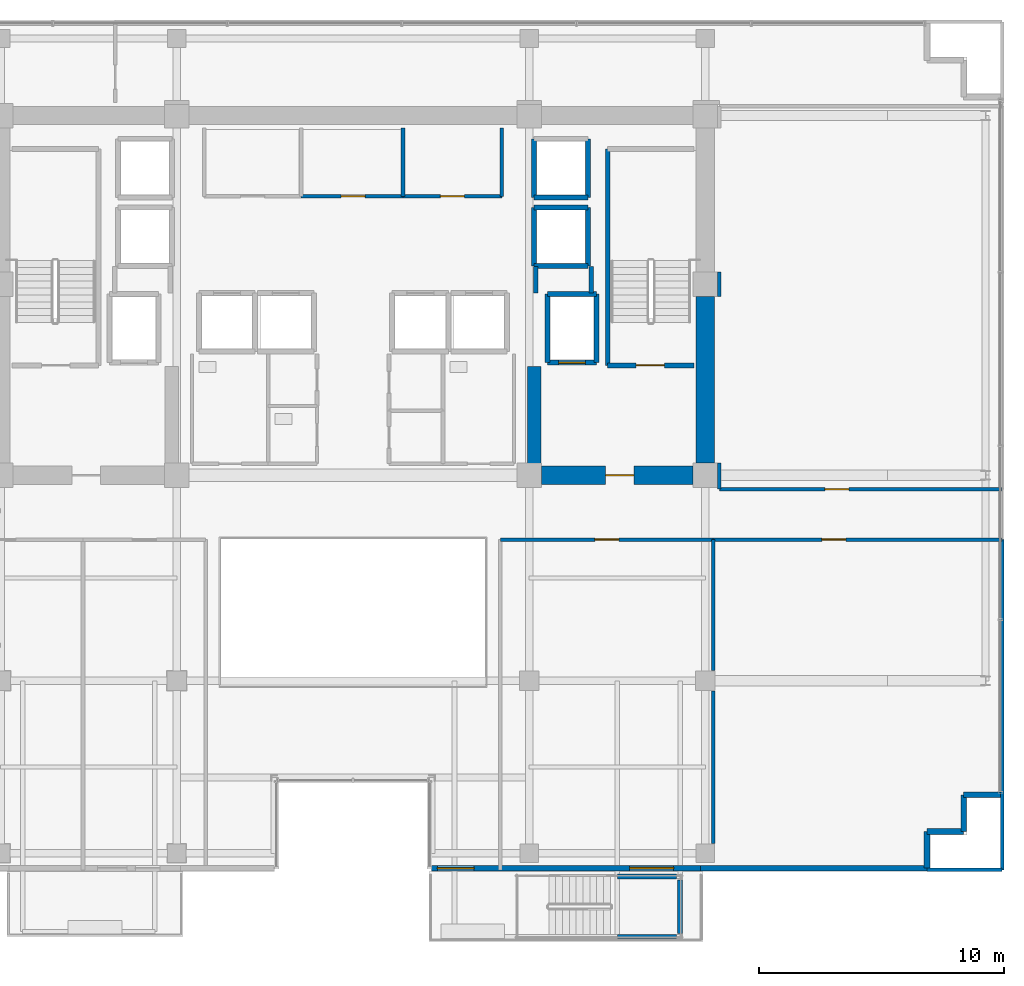
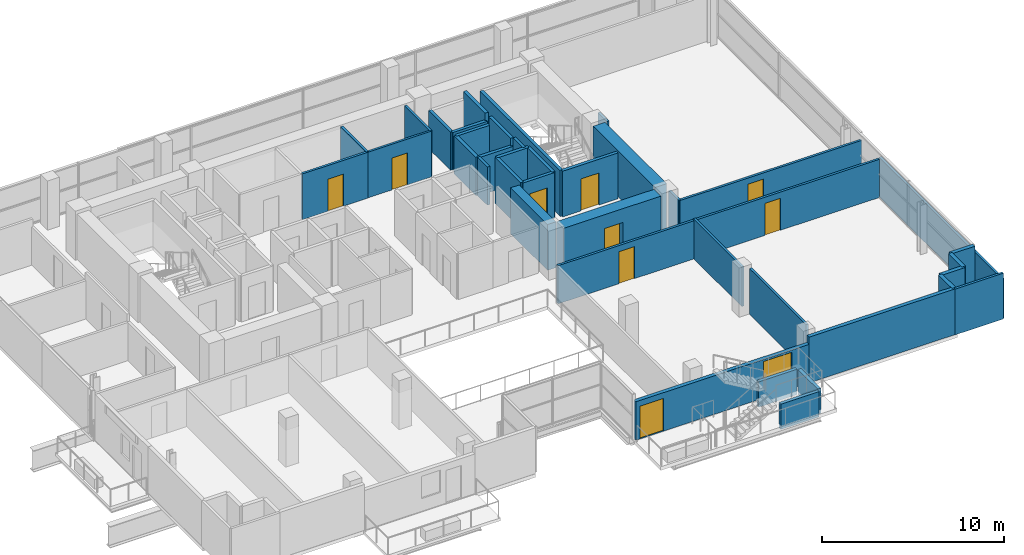
# One storey, part 18 of 23: 40 walls, 9 doors, 1 window, 10 openings.
"""IFC4 building model written with IfcOpenShell, lengths in metres."""

from ifc_helpers import new_model, si_unit, direction, frame, frame_2d, origin, place, context, subcontext, project, spatial, rectangle, extrude, source, transform, mapped, material, layer, layer_set, type_object, element, fill, save


model = new_model("IFC4")

# Units and contexts
model_context = context("Model", 3, precision=1e-05, world=origin(), true_north=direction((0.0, 1.0)))
body_context = subcontext(model_context, "Body", "Model", "MODEL_VIEW")
ifc_project = project(units=[si_unit("LENGTHUNIT", "METRE"), si_unit("AREAUNIT", "SQUARE_METRE"), si_unit("VOLUMEUNIT", "CUBIC_METRE"), si_unit("PLANEANGLEUNIT", "RADIAN"), si_unit("MASSUNIT", "GRAM", prefix="KILO")], contexts=[model_context])

# Site, building, storey
site_placement = place(None, origin())
site = spatial("IfcSite", under=ifc_project, at=site_placement, CompositionType="ELEMENT")
building_placement = place(site_placement, origin())
building = spatial("IfcBuilding", under=site, at=building_placement, Name="Zarnakvel Exchange Tower", CompositionType="ELEMENT")
storey_placement = place(building_placement, frame((0.0, 0.0, 172.60009765625)))
storey = spatial("IfcBuildingStorey", under=building, at=storey_placement, Name="L48", CompositionType="ELEMENT", Elevation=172.60009765625)

# Wall
ifc_material_1 = material(Name="Concrete C60/75", Category="concrete")
ifc_layer_1 = layer(ifc_material_1, 0.75)
ifc_layer_set_1 = layer_set([ifc_layer_1], Name="Concrete C60/75")
wall_type_1 = type_object("IfcWallType", Name="CW-C3", PredefinedType="SHEAR", material=ifc_layer_set_1)
wall_1_placement = place(storey_placement, frame((14.39990234375, -0.699951171875, 0.0), z_axis=(0.0, 0.0, 1.0), x_axis=(0.0, 1.0, 0.0)))
element("IfcWall", 1, at=wall_1_placement, inside=storey, type_object=wall_type_1, Name="L48 Rear Core Shear Wall E1 (CW-C3)", PredefinedType="SHEAR", context=body_context, shape_type="SweptSolid", body=[
    extrude(rectangle(XDim=6.800048828125, YDim=0.75, at=frame_2d((3.39990234375, 0.0))), origin(), (0.0, 0.0, 1.0), 3.074951171875),
])

# Wall, opening, door
wall_2_placement = place(storey_placement, frame((13.89990234375, -1.199951171875, 0.0), z_axis=(0.0, 0.0, 1.0), x_axis=(-1.0, 0.0, 0.0)))
wall_2 = element("IfcWall", 2, at=wall_2_placement, inside=storey, type_object=wall_type_1, Name="L48 Rear Core Shear Wall SE (CW-C3)", PredefinedType="SHEAR", context=body_context, shape_type="SweptSolid", body=[
    extrude(rectangle(XDim=6.199951171875, YDim=0.75, at=frame_2d((3.10009765625, 0.0))), origin(), (0.0, 0.0, 1.0), 3.074951171875),
])
opening_1_placement = place(wall_2_placement, frame((2.425048828125, 0.0, 0.0)))
opening_1 = element("IfcOpeningElement", 3, at=opening_1_placement, cuts=wall_2, Name="Opening D-L48-04", PredefinedType="OPENING", context=body_context, shape_type="SweptSolid", body=[
    extrude(rectangle(XDim=1.14990234375, YDim=2.14990234375, at=frame_2d((0.574951171875, 1.074951171875))), frame((0.0, 0.385009765625, 0.0), z_axis=(0.0, -1.0, 0.0), x_axis=(1.0, 0.0, 0.0)), (0.0, 0.0, 1.0), 0.77001953125),
])
ifc_material_2 = material(Name="Painted Galvanised Steel S355", Category="steel")
door_type_1 = type_object("IfcDoorType", Name="DT-04", OperationType="NOTDEFINED", PredefinedType="DOOR", material=ifc_material_2)
shared_shape_1 = source(origin(), body_context, "Body", "SweptSolid", [
    extrude(rectangle(XDim=1.14990234375, YDim=2.14990234375, at=frame_2d((0.574951171875, 1.074951171875))), frame((0.0, 0.02490234375, 0.0), z_axis=(0.0, -1.0, 0.0), x_axis=(1.0, 0.0, 0.0)), (0.0, 0.0, 1.0), 0.050048828125),
])
door_1_placement = place(opening_1_placement, origin())
door_1 = element("IfcDoor", 4, at=door_1_placement, inside=storey, type_object=door_type_1, Name="L48 Firefighting Lobby East Door D-L48-04", OperationType="SINGLE_SWING_LEFT", OverallHeight=2.14990234375, OverallWidth=1.14990234375, PredefinedType="DOOR", context=body_context, shape_type="MappedRepresentation", body=[
    mapped(shared_shape_1, transform((0.0, 0.0, 0.0), x_axis=(1.0, 0.0, 0.0), y_axis=(0.0, 1.0, 0.0), z_axis=(0.0, 0.0, 1.0), scale=1.0)),
])
fill(opening_1, door_1)

# Wall
ifc_layer_2 = layer(ifc_material_1, 0.550048828125)
ifc_layer_set_2 = layer_set([ifc_layer_2], Name="Concrete C60/75")
wall_type_2 = type_object("IfcWallType", Name="CW-C4", PredefinedType="SHEAR", material=ifc_layer_set_2)
wall_3_placement = place(storey_placement, frame((7.39990234375, -0.824951171875, 0.0), z_axis=(0.0, 0.0, 1.0), x_axis=(0.0, 1.0, 0.0)))
element("IfcWall", 5, at=wall_3_placement, inside=storey, type_object=wall_type_2, Name="L48 Rear Core Shear Wall IE (CW-C4)", PredefinedType="SHEAR", context=body_context, shape_type="SweptSolid", body=[
    extrude(rectangle(XDim=4.074951171875, YDim=0.550048828125, at=frame_2d((2.03759765625, 0.0))), origin(), (0.0, 0.0, 1.0), 3.074951171875),
])

# Wall, openings, door, window
ifc_material_3 = material(Name="Precast concrete C40/50", Category="concrete")
ifc_layer_3 = layer(ifc_material_3, 0.239990234375)
ifc_layer_set_3 = layer_set([ifc_layer_3], Name="Precast concrete C40/50")
wall_type_3 = type_object("IfcWallType", Name="EW-02", PredefinedType="SOLIDWALL", material=ifc_layer_set_3)
wall_4_placement = place(storey_placement, frame((14.199951171875, -17.260009765625, 0.0), z_axis=(0.0, 0.0, 1.0), x_axis=(-1.0, 0.0, 0.0)))
wall_4 = element("IfcWall", 6, at=wall_4_placement, inside=storey, type_object=wall_type_3, Name="L48 Exterior Precast Spandrel Wall EW-SPTER-L48 (EW-02)", PredefinedType="SOLIDWALL", context=body_context, shape_type="SweptSolid", body=[
    extrude(rectangle(XDim=11.0, YDim=0.239990234375, at=frame_2d((5.5, 0.0))), origin(), (0.0, 0.0, 1.0), 2.58984375),
])
opening_2_placement = place(wall_4_placement, frame((9.25, 0.0, 0.0)))
opening_2 = element("IfcOpeningElement", 7, at=opening_2_placement, cuts=wall_4, Name="Opening TD-L48-SP", PredefinedType="OPENING", context=body_context, shape_type="SweptSolid", body=[
    extrude(rectangle(XDim=1.5, YDim=2.199951171875, at=frame_2d((0.75, 1.10009765625))), frame((0.0, 0.1298828125, 0.0), z_axis=(0.0, -1.0, 0.0), x_axis=(1.0, 0.0, 0.0)), (0.0, 0.0, 1.0), 0.260009765625),
])
opening_3_placement = place(wall_4_placement, frame((1.10009765625, 0.0, 0.85009765625)))
opening_3 = element("IfcOpeningElement", 8, at=opening_3_placement, cuts=wall_4, Name="Opening WN-05", PredefinedType="OPENING", context=body_context, shape_type="SweptSolid", body=[
    extrude(rectangle(XDim=1.800048828125, YDim=1.60009765625, at=frame_2d((0.89990234375, 0.800048828125))), frame((0.0, 0.1298828125, 0.0), z_axis=(0.0, -1.0, 0.0), x_axis=(1.0, 0.0, 0.0)), (0.0, 0.0, 1.0), 0.260009765625),
])
ifc_material_4 = material(Name="Architectural Bronze Anodised Aluminium", Category="aluminium")
door_type_2 = type_object("IfcDoorType", Name="DT-10", OperationType="NOTDEFINED", PredefinedType="DOOR", material=ifc_material_4)
shared_shape_2 = source(origin(), body_context, "Body", "SweptSolid", [
    extrude(rectangle(XDim=1.5, YDim=2.199951171875, at=frame_2d((0.75, 1.10009765625))), frame((0.0, 0.02490234375, 0.0), z_axis=(0.0, -1.0, 0.0), x_axis=(1.0, 0.0, 0.0)), (0.0, 0.0, 1.0), 0.050048828125),
])
door_2_placement = place(opening_2_placement, origin())
door_2 = element("IfcDoor", 9, at=door_2_placement, inside=storey, type_object=door_type_2, Name="L48 Spiral Sky-Terrace Access Door TD-L48-SP", OperationType="DOUBLE_DOOR_SINGLE_SWING", OverallHeight=2.199951171875, OverallWidth=1.5, PredefinedType="DOOR", context=body_context, shape_type="MappedRepresentation", body=[
    mapped(shared_shape_2, transform((0.0, 0.0, 0.0), x_axis=(1.0, 0.0, 0.0), y_axis=(0.0, 1.0, 0.0), z_axis=(0.0, 0.0, 1.0), scale=1.0)),
])
fill(opening_2, door_2)
ifc_material_5 = material(Name="Double Low-E Laminated Vision Glass", Category="glass")
window_type = type_object("IfcWindowType", Name="WN-05", PartitioningType="SINGLE_PANEL", PredefinedType="WINDOW", material=ifc_material_5)
shared_shape_3 = source(origin(), body_context, "Body", "SweptSolid", [
    extrude(rectangle(XDim=1.800048828125, YDim=1.60009765625, at=frame_2d((0.89990234375, 0.800048828125))), frame((0.0, 0.030029296875, 0.0), z_axis=(0.0, -1.0, 0.0), x_axis=(1.0, 0.0, 0.0)), (0.0, 0.0, 1.0), 0.06005859375),
])
window_placement = place(opening_3_placement, origin())
window = element("IfcWindow", 10, at=window_placement, inside=storey, type_object=window_type, Name="L48 Spiral Sky-Terrace Lounge Window", OverallHeight=1.60009765625, OverallWidth=1.800048828125, PartitioningType="SINGLE_PANEL", PredefinedType="WINDOW", context=body_context, shape_type="MappedRepresentation", body=[
    mapped(shared_shape_3, transform((0.0, 0.0, 0.0), x_axis=(1.0, 0.0, 0.0), y_axis=(0.0, 1.0, 0.0), z_axis=(0.0, 0.0, 1.0), scale=1.0)),
])
fill(opening_3, window)

# Walls
for number, where, z_axis, x_axis, name in (
    (11, (24.9599609375, -14.260009765625, 0.0), (0.0, 0.0, 1.0), (1.0, 0.0, 0.0), "L48 Exterior Precast Spandrel Wall EWC-L48-11 (EW-02)"),
    (12, (24.9599609375, -15.760009765625, 0.0), (0.0, 0.0, 1.0), (0.0, 1.0, 0.0), "L48 Exterior Precast Spandrel Wall EWC-L48-12 (EW-02)"),
    (13, (23.4599609375, -15.760009765625, 0.0), (0.0, 0.0, 1.0), (1.0, 0.0, 0.0), "L48 Exterior Precast Spandrel Wall EWC-L48-13 (EW-02)"),
    (14, (23.4599609375, -17.260009765625, 0.0), (0.0, 0.0, 1.0), (0.0, 1.0, 0.0), "L48 Exterior Precast Spandrel Wall EWC-L48-14 (EW-02)"),
):
    element("IfcWall", number, at=place(storey_placement, frame(where, z_axis=z_axis, x_axis=x_axis)), inside=storey, type_object=wall_type_3, Name=name, PredefinedType="SOLIDWALL", context=body_context, shape_type="SweptSolid", body=[
        extrude(rectangle(XDim=1.5, YDim=0.239990234375, at=frame_2d((0.75, 0.0))), origin(), (0.0, 0.0, 1.0), 3.074951171875),
    ])
wall_5_placement = place(storey_placement, frame((14.199951171875, -17.260009765625, 0.0), z_axis=(0.0, 0.0, 1.0), x_axis=(1.0, 0.0, 0.0)))
element("IfcWall", 15, at=wall_5_placement, inside=storey, type_object=wall_type_3, Name="L48 Exterior Precast Spandrel Wall EWC-L48-15 (EW-02)", PredefinedType="SOLIDWALL", context=body_context, shape_type="SweptSolid", body=[
    extrude(rectangle(XDim=9.260009765625, YDim=0.239990234375, at=frame_2d((4.6298828125, 0.0))), origin(), (0.0, 0.0, 1.0), 3.074951171875),
])

# Wall, opening, door
ifc_material_6 = material(Name="Fire-Rated Gypsum Stud Partition", Category="gypsum")
ifc_layer_4 = layer(ifc_material_6, 0.14990234375)
ifc_layer_set_4 = layer_set([ifc_layer_4], Name="Fire-Rated Gypsum Stud Partition")
wall_type_4 = type_object("IfcWallType", Name="PT-01", PredefinedType="PARTITIONING", material=ifc_layer_set_4)
wall_6_placement = place(storey_placement, frame((2.0400390625, 10.199951171875, 0.0), z_axis=(0.0, 0.0, 1.0), x_axis=(-1.0, 0.0, 0.0)))
wall_6 = element("IfcWall", 16, at=wall_6_placement, inside=storey, type_object=wall_type_4, Name="L48 Partition Wall PWALL-L48-014 (PT-01)", PredefinedType="PARTITIONING", context=body_context, shape_type="SweptSolid", body=[
    extrude(rectangle(XDim=4.16015625, YDim=0.14990234375, at=frame_2d((2.080078125, 0.0))), origin(), (0.0, 0.0, 1.0), 3.074951171875),
])
opening_4_placement = place(wall_6_placement, frame((1.550048828125, 0.0, 0.0)))
opening_4 = element("IfcOpeningElement", 17, at=opening_4_placement, cuts=wall_6, Name="Opening D-L48-06", PredefinedType="OPENING", context=body_context, shape_type="SweptSolid", body=[
    extrude(rectangle(XDim=0.97998046875, YDim=2.14990234375, at=frame_2d((0.489990234375, 1.074951171875))), frame((0.0, 0.0849609375, 0.0), z_axis=(0.0, -1.0, 0.0), x_axis=(1.0, 0.0, 0.0)), (0.0, 0.0, 1.0), 0.169921875),
])
ifc_material_7 = material(Name="Timber Acoustic Veneer", Category="wood")
door_type_3 = type_object("IfcDoorType", Name="DT-05", OperationType="NOTDEFINED", PredefinedType="DOOR", material=ifc_material_7)
shared_shape_4 = source(origin(), body_context, "Body", "SweptSolid", [
    extrude(rectangle(XDim=0.97998046875, YDim=2.14990234375, at=frame_2d((0.489990234375, 1.074951171875))), frame((0.0, 0.02490234375, 0.0), z_axis=(0.0, -1.0, 0.0), x_axis=(1.0, 0.0, 0.0)), (0.0, 0.0, 1.0), 0.050048828125),
])
door_3_placement = place(opening_4_placement, origin())
door_3 = element("IfcDoor", 18, at=door_3_placement, inside=storey, type_object=door_type_3, Name="L48 Brokerage Filing Room Door D-L48-06", OperationType="SINGLE_SWING_LEFT", OverallHeight=2.14990234375, OverallWidth=0.97998046875, PredefinedType="DOOR", context=body_context, shape_type="MappedRepresentation", body=[
    mapped(shared_shape_4, transform((0.0, 0.0, 0.0), x_axis=(1.0, 0.0, 0.0), y_axis=(0.0, 1.0, 0.0), z_axis=(0.0, 0.0, 1.0), scale=1.0)),
])
fill(opening_4, door_3)

# Wall
wall_7_placement = place(storey_placement, frame((2.0400390625, 13.0, 0.0), z_axis=(0.0, 0.0, 1.0), x_axis=(0.0, -1.0, 0.0)))
element("IfcWall", 19, at=wall_7_placement, inside=storey, type_object=wall_type_4, Name="L48 Partition Wall PWALL-L48-015 (PT-01)", PredefinedType="PARTITIONING", context=body_context, shape_type="SweptSolid", body=[
    extrude(rectangle(XDim=2.800048828125, YDim=0.14990234375, at=frame_2d((1.39990234375, 0.0))), origin(), (0.0, 0.0, 1.0), 3.074951171875),
])

# Wall, opening, door
wall_8_placement = place(storey_placement, frame((6.02001953125, -3.830078125, 0.0), z_axis=(0.0, 0.0, 1.0), x_axis=(1.0, 0.0, 0.0)))
wall_8 = element("IfcWall", 20, at=wall_8_placement, inside=storey, type_object=wall_type_4, Name="L48 Partition Wall PWALL-L48-045 (PT-01)", PredefinedType="PARTITIONING", context=body_context, shape_type="SweptSolid", body=[
    extrude(rectangle(XDim=8.701904296875, YDim=0.14990234375, at=frame_2d((4.35107421875, 0.0))), origin(), (0.0, 0.0, 1.0), 2.56494140625),
])
opening_5_placement = place(wall_8_placement, frame((3.861083984375, 0.0, 0.0)))
opening_5 = element("IfcOpeningElement", 21, at=opening_5_placement, cuts=wall_8, Name="Opening D-L48-17", PredefinedType="OPENING", context=body_context, shape_type="SweptSolid", body=[
    extrude(rectangle(XDim=0.97998046875, YDim=2.14990234375, at=frame_2d((0.489990234375, 1.074951171875))), frame((0.0, 0.0849609375, 0.0), z_axis=(0.0, -1.0, 0.0), x_axis=(1.0, 0.0, 0.0)), (0.0, 0.0, 1.0), 0.169921875),
])
door_4_placement = place(opening_5_placement, origin())
door_4 = element("IfcDoor", 22, at=door_4_placement, inside=storey, type_object=door_type_3, Name="L48 Seminar Room Door D-L48-17", OperationType="SINGLE_SWING_RIGHT", OverallHeight=2.14990234375, OverallWidth=0.97998046875, PredefinedType="DOOR", context=body_context, shape_type="MappedRepresentation", body=[
    mapped(shared_shape_4, transform((0.0, 0.0, 0.0), x_axis=(1.0, 0.0, 0.0), y_axis=(0.0, 1.0, 0.0), z_axis=(0.0, 0.0, 1.0), scale=1.0)),
])
fill(opening_5, door_4)

# Walls
wall_9_placement = place(storey_placement, frame((14.721923828125, -10.02001953125, 0.0), z_axis=(0.0, 0.0, 1.0), x_axis=(0.0, -1.0, 0.0)))
element("IfcWall", 23, at=wall_9_placement, inside=storey, type_object=wall_type_4, Name="L48 Partition Wall PWALL-L48-047 (PT-01)", PredefinedType="PARTITIONING", context=body_context, shape_type="SweptSolid", body=[
    extrude(rectangle(XDim=6.23486328125, YDim=0.14990234375, at=frame_2d((3.117431640625, 0.0))), origin(), (0.0, 0.0, 1.0), 3.074951171875),
])
wall_10_placement = place(storey_placement, frame((26.530029296875, -17.330078125, 0.0), z_axis=(0.0, 0.0, 1.0), x_axis=(-1.0, 0.0, 0.0)))
element("IfcWall", 24, at=wall_10_placement, inside=storey, type_object=wall_type_4, Name="L48 Partition Wall PWALL-L48-048 (PT-01)", PredefinedType="PARTITIONING", context=body_context, shape_type="SweptSolid", body=[
    extrude(rectangle(XDim=3.070068359375, YDim=0.14990234375, at=frame_2d((1.53515625, 0.0))), origin(), (0.0, 0.0, 1.0), 3.074951171875),
])

# Wall, opening, door
wall_11_placement = place(storey_placement, frame((14.721923828125, -3.830078125, 0.0), z_axis=(0.0, 0.0, 1.0), x_axis=(1.0, 0.0, 0.0)))
wall_11 = element("IfcWall", 25, at=wall_11_placement, inside=storey, type_object=wall_type_4, Name="L48 Partition Wall PWALL-L48-049 (PT-01)", PredefinedType="PARTITIONING", context=body_context, shape_type="SweptSolid", body=[
    extrude(rectangle(XDim=11.80810546875, YDim=0.14990234375, at=frame_2d((5.904052734375, 0.0))), origin(), (0.0, 0.0, 1.0), 2.56494140625),
])
opening_6_placement = place(wall_11_placement, frame((4.439208984375, 0.0, 0.0)))
opening_6 = element("IfcOpeningElement", 26, at=opening_6_placement, cuts=wall_11, Name="Opening D-L48-18", PredefinedType="OPENING", context=body_context, shape_type="SweptSolid", body=[
    extrude(rectangle(XDim=0.97998046875, YDim=2.14990234375, at=frame_2d((0.489990234375, 1.074951171875))), frame((0.0, 0.0849609375, 0.0), z_axis=(0.0, -1.0, 0.0), x_axis=(1.0, 0.0, 0.0)), (0.0, 0.0, 1.0), 0.169921875),
])
door_5_placement = place(opening_6_placement, origin())
door_5 = element("IfcDoor", 27, at=door_5_placement, inside=storey, type_object=door_type_3, Name="L48 Boardroom Door D-L48-18", OperationType="SINGLE_SWING_LEFT", OverallHeight=2.14990234375, OverallWidth=0.97998046875, PredefinedType="DOOR", context=body_context, shape_type="MappedRepresentation", body=[
    mapped(shared_shape_4, transform((0.0, 0.0, 0.0), x_axis=(1.0, 0.0, 0.0), y_axis=(0.0, 1.0, 0.0), z_axis=(0.0, 0.0, 1.0), scale=1.0)),
])
fill(opening_6, door_5)

# Walls
wall_12_placement = place(storey_placement, frame((14.721923828125, -9.179931640625, 0.0), z_axis=(0.0, 0.0, 1.0), x_axis=(0.0, 1.0, 0.0)))
element("IfcWall", 28, at=wall_12_placement, inside=storey, type_object=wall_type_4, Name="L48 Partition Wall PWALL-L48-050 (PT-01)", PredefinedType="PARTITIONING", context=body_context, shape_type="SweptSolid", body=[
    extrude(rectangle(XDim=5.349853515625, YDim=0.14990234375, at=frame_2d((2.6748046875, 0.0))), origin(), (0.0, 0.0, 1.0), 2.664794921875),
])
wall_13_placement = place(storey_placement, frame((26.530029296875, -3.830078125, 0.0), z_axis=(0.0, 0.0, 1.0), x_axis=(0.0, -1.0, 0.0)))
element("IfcWall", 29, at=wall_13_placement, inside=storey, type_object=wall_type_4, Name="L48 Partition Wall PWALL-L48-051 (PT-01)", PredefinedType="PARTITIONING", context=body_context, shape_type="SweptSolid", body=[
    extrude(rectangle(XDim=13.5, YDim=0.14990234375, at=frame_2d((6.75, 0.0))), origin(), (0.0, 0.0, 1.0), 2.664794921875),
])

# Wall, opening, door
wall_14_placement = place(storey_placement, frame((26.530029296875, -1.77001953125, 0.0), z_axis=(0.0, 0.0, 1.0), x_axis=(-1.0, 0.0, 0.0)))
wall_14 = element("IfcWall", 30, at=wall_14_placement, inside=storey, type_object=wall_type_4, Name="L48 Partition Wall PWALL-L48-062 (PT-01)", PredefinedType="PARTITIONING", context=body_context, shape_type="SweptSolid", body=[
    extrude(rectangle(XDim=11.56005859375, YDim=0.14990234375, at=frame_2d((5.780029296875, 0.0))), origin(), (0.0, 0.0, 1.0), 2.56494140625),
])
opening_7_placement = place(wall_14_placement, frame((6.264892578125, 0.0, 0.0)))
opening_7 = element("IfcOpeningElement", 31, at=opening_7_placement, cuts=wall_14, Name="Opening D-L48-22", PredefinedType="OPENING", context=body_context, shape_type="SweptSolid", body=[
    extrude(rectangle(XDim=0.97998046875, YDim=2.14990234375, at=frame_2d((0.489990234375, 1.074951171875))), frame((0.0, 0.0849609375, 0.0), z_axis=(0.0, -1.0, 0.0), x_axis=(1.0, 0.0, 0.0)), (0.0, 0.0, 1.0), 0.169921875),
])
door_6_placement = place(opening_7_placement, origin())
door_6 = element("IfcDoor", 32, at=door_6_placement, inside=storey, type_object=door_type_3, Name="L48 Tea Pantry Door D-L48-22", OperationType="SINGLE_SWING_LEFT", OverallHeight=2.14990234375, OverallWidth=0.97998046875, PredefinedType="DOOR", context=body_context, shape_type="MappedRepresentation", body=[
    mapped(shared_shape_4, transform((0.0, 0.0, 0.0), x_axis=(1.0, 0.0, 0.0), y_axis=(0.0, 1.0, 0.0), z_axis=(0.0, 0.0, 1.0), scale=1.0)),
])
fill(opening_7, door_6)

# Walls
wall_15_placement = place(storey_placement, frame((14.969970703125, -1.77001953125, 0.0), z_axis=(0.0, 0.0, 1.0), x_axis=(0.0, 1.0, 0.0)))
element("IfcWall", 33, at=wall_15_placement, inside=storey, type_object=wall_type_4, Name="L48 Partition Wall PWALL-L48-064 (PT-01)", PredefinedType="PARTITIONING", context=body_context, shape_type="SweptSolid", body=[
    extrude(rectangle(XDim=1.070068359375, YDim=0.14990234375, at=frame_2d((0.53515625, 0.0))), origin(), (0.0, 0.0, 1.0), 2.56494140625),
])
wall_16_placement = place(storey_placement, frame((14.969970703125, 6.10009765625, 0.0), z_axis=(0.0, 0.0, 1.0), x_axis=(0.0, 1.0, 0.0)))
element("IfcWall", 34, at=wall_16_placement, inside=storey, type_object=wall_type_4, Name="L48 Partition Wall PWALL-L48-065 (PT-01)", PredefinedType="PARTITIONING", context=body_context, shape_type="SweptSolid", body=[
    extrude(rectangle(XDim=1.0, YDim=0.14990234375, at=frame_2d((0.5, 0.0))), origin(), (0.0, 0.0, 1.0), 3.074951171875),
])
ifc_layer_5 = layer(ifc_material_6, 0.179931640625)
ifc_layer_set_5 = layer_set([ifc_layer_5], Name="Fire-Rated Gypsum Stud Partition")
wall_type_5 = type_object("IfcWallType", Name="PT-02", PredefinedType="PARTITIONING", material=ifc_layer_set_5)
wall_17_placement = place(storey_placement, frame((7.469970703125, 6.239990234375, 0.0), z_axis=(0.0, 0.0, 1.0), x_axis=(0.0, 1.0, 0.0)))
element("IfcWall", 35, at=wall_17_placement, inside=storey, type_object=wall_type_5, Name="L48 Partition Wall PWALL-L48-009 (PT-02)", PredefinedType="PARTITIONING", context=body_context, shape_type="SweptSolid", body=[
    extrude(rectangle(XDim=1.090087890625, YDim=0.179931640625, at=frame_2d((0.544921875, 0.0))), origin(), (0.0, 0.0, 1.0), 2.56494140625),
])
wall_18_placement = place(storey_placement, frame((9.72998046875, 7.330078125, 0.0), z_axis=(0.0, 0.0, 1.0), x_axis=(0.0, -1.0, 0.0)))
element("IfcWall", 36, at=wall_18_placement, inside=storey, type_object=wall_type_5, Name="L48 Partition Wall PWALL-L48-010 (PT-02)", PredefinedType="PARTITIONING", context=body_context, shape_type="SweptSolid", body=[
    extrude(rectangle(XDim=1.090087890625, YDim=0.179931640625, at=frame_2d((0.544921875, 0.0))), origin(), (0.0, 0.0, 1.0), 3.074951171875),
])

# Wall, opening, door
ifc_material_8 = material(Name="Moisture-Resistant Tile-Faced Partition", Category="gypsum")
ifc_layer_6 = layer(ifc_material_8, 0.135009765625)
ifc_layer_set_6 = layer_set([ifc_layer_6], Name="Moisture-Resistant Tile-Faced Partition")
wall_type_6 = type_object("IfcWallType", Name="PT-03", PredefinedType="PARTITIONING", material=ifc_layer_set_6)
wall_19_placement = place(storey_placement, frame((6.080078125, 10.199951171875, 0.0), z_axis=(0.0, 0.0, 1.0), x_axis=(-1.0, 0.0, 0.0)))
wall_19 = element("IfcWall", 37, at=wall_19_placement, inside=storey, type_object=wall_type_6, Name="L48 Partition Wall PWALL-L48-016 (PT-03)", PredefinedType="PARTITIONING", context=body_context, shape_type="SweptSolid", body=[
    extrude(rectangle(XDim=4.0400390625, YDim=0.135009765625, at=frame_2d((2.02001953125, 0.0))), origin(), (0.0, 0.0, 1.0), 3.074951171875),
])
opening_8_placement = place(wall_19_placement, frame((1.530029296875, 0.0, 0.0)))
opening_8 = element("IfcOpeningElement", 38, at=opening_8_placement, cuts=wall_19, Name="Opening D-L48-07", PredefinedType="OPENING", context=body_context, shape_type="SweptSolid", body=[
    extrude(rectangle(XDim=0.97998046875, YDim=2.14990234375, at=frame_2d((0.489990234375, 1.074951171875))), frame((0.0, 0.077392578125, 0.0), z_axis=(0.0, -1.0, 0.0), x_axis=(1.0, 0.0, 0.0)), (0.0, 0.0, 1.0), 0.155029296875),
])
door_7_placement = place(opening_8_placement, origin())
door_7 = element("IfcDoor", 39, at=door_7_placement, inside=storey, type_object=door_type_3, Name="L48 Executive Tea Pantry Door D-L48-07", OperationType="SINGLE_SWING_RIGHT", OverallHeight=2.14990234375, OverallWidth=0.97998046875, PredefinedType="DOOR", context=body_context, shape_type="MappedRepresentation", body=[
    mapped(shared_shape_4, transform((0.0, 0.0, 0.0), x_axis=(1.0, 0.0, 0.0), y_axis=(0.0, 1.0, 0.0), z_axis=(0.0, 0.0, 1.0), scale=1.0)),
])
fill(opening_8, door_7)

# Wall
wall_20_placement = place(storey_placement, frame((6.080078125, 13.0, 0.0), z_axis=(0.0, 0.0, 1.0), x_axis=(0.0, -1.0, 0.0)))
element("IfcWall", 40, at=wall_20_placement, inside=storey, type_object=wall_type_6, Name="L48 Partition Wall PWALL-L48-017 (PT-03)", PredefinedType="PARTITIONING", context=body_context, shape_type="SweptSolid", body=[
    extrude(rectangle(XDim=2.800048828125, YDim=0.135009765625, at=frame_2d((1.39990234375, 0.0))), origin(), (0.0, 0.0, 1.0), 3.074951171875),
])

# Wall, opening, door
ifc_material_9 = material(Name="Concrete C40/50", Category="concrete")
ifc_layer_7 = layer(ifc_material_9, 0.199951171875)
ifc_layer_set_7 = layer_set([ifc_layer_7], Name="Concrete C40/50")
wall_type_7 = type_object("IfcWallType", Name="SW-01", PredefinedType="SOLIDWALL", material=ifc_layer_set_7)
wall_21_placement = place(storey_placement, frame((9.949951171875, 3.39990234375, 0.0), z_axis=(0.0, 0.0, 1.0), x_axis=(-1.0, 0.0, 0.0)))
wall_21 = element("IfcWall", 41, at=wall_21_placement, inside=storey, type_object=wall_type_7, Name="L48 FL-02 Hoistway Wall South", PredefinedType="SOLIDWALL", context=body_context, shape_type="SweptSolid", body=[
    extrude(rectangle(XDim=2.0, YDim=0.199951171875, at=frame_2d((1.0, 0.0))), origin(), (0.0, 0.0, 1.0), 3.074951171875),
])
opening_9_placement = place(wall_21_placement, frame((0.449951171875, 0.0, 0.0)))
opening_9 = element("IfcOpeningElement", 42, at=opening_9_placement, cuts=wall_21, Name="Opening LD-FL-02-L48", PredefinedType="OPENING", context=body_context, shape_type="SweptSolid", body=[
    extrude(rectangle(XDim=1.10009765625, YDim=2.199951171875, at=frame_2d((0.550048828125, 1.10009765625))), frame((0.0, 0.10986328125, 0.0), z_axis=(0.0, -1.0, 0.0), x_axis=(1.0, 0.0, 0.0)), (0.0, 0.0, 1.0), 0.219970703125),
])
ifc_material_10 = material(Name="Brushed Stainless Steel", Category="steel")
door_type_4 = type_object("IfcDoorType", Name="LDT-01", OperationType="NOTDEFINED", PredefinedType="DOOR", material=ifc_material_10)
shared_shape_5 = source(origin(), body_context, "Body", "SweptSolid", [
    extrude(rectangle(XDim=1.10009765625, YDim=2.199951171875, at=frame_2d((0.550048828125, 1.10009765625))), frame((0.0, 0.02490234375, 0.0), z_axis=(0.0, -1.0, 0.0), x_axis=(1.0, 0.0, 0.0)), (0.0, 0.0, 1.0), 0.050048828125),
])
door_8_placement = place(opening_9_placement, origin())
door_8 = element("IfcDoor", 43, at=door_8_placement, inside=storey, type_object=door_type_4, Name="L48 FL-02 Lift Landing Door LD-FL-02-L48", OperationType="DOUBLE_DOOR_SLIDING", OverallHeight=2.199951171875, OverallWidth=1.10009765625, PredefinedType="DOOR", context=body_context, shape_type="MappedRepresentation", body=[
    mapped(shared_shape_5, transform((0.0, 0.0, 0.0), x_axis=(1.0, 0.0, 0.0), y_axis=(0.0, 1.0, 0.0), z_axis=(0.0, 0.0, 1.0), scale=1.0)),
])
fill(opening_9, door_8)

# Walls
wall_22_placement = place(storey_placement, frame((7.949951171875, 6.199951171875, 0.0), z_axis=(0.0, 0.0, 1.0), x_axis=(1.0, 0.0, 0.0)))
element("IfcWall", 44, at=wall_22_placement, inside=storey, type_object=wall_type_7, Name="L48 FL-02 Hoistway Wall North", PredefinedType="SOLIDWALL", context=body_context, shape_type="SweptSolid", body=[
    extrude(rectangle(XDim=2.0, YDim=0.199951171875, at=frame_2d((1.0, 0.0))), origin(), (0.0, 0.0, 1.0), 3.074951171875),
])
for number, where, z_axis, x_axis, name in (
    (45, (7.949951171875, 3.39990234375, 0.0), (0.0, 0.0, 1.0), (0.0, 1.0, 0.0), "L48 FL-02 Hoistway Wall West"),
    (46, (9.949951171875, 6.199951171875, 0.0), (0.0, 0.0, 1.0), (0.0, -1.0, 0.0), "L48 FL-02 Hoistway Wall East"),
):
    element("IfcWall", number, at=place(storey_placement, frame(where, z_axis=z_axis, x_axis=x_axis)), inside=storey, type_object=wall_type_7, Name=name, PredefinedType="SOLIDWALL", context=body_context, shape_type="SweptSolid", body=[
        extrude(rectangle(XDim=2.800048828125, YDim=0.199951171875, at=frame_2d((1.39990234375, 0.0))), origin(), (0.0, 0.0, 1.0), 3.074951171875),
    ])
for number, where, z_axis, x_axis, name in (
    (47, (9.60009765625, 7.35009765625, 0.0), (0.0, 0.0, 1.0), (-1.0, 0.0, 0.0), "L48 PL-11 Hoistway Wall South"),
    (48, (7.39990234375, 9.75, 0.0), (0.0, 0.0, 1.0), (1.0, 0.0, 0.0), "L48 PL-11 Hoistway Wall North"),
):
    element("IfcWall", number, at=place(storey_placement, frame(where, z_axis=z_axis, x_axis=x_axis)), inside=storey, type_object=wall_type_7, Name=name, PredefinedType="SOLIDWALL", context=body_context, shape_type="SweptSolid", body=[
        extrude(rectangle(XDim=2.2001953125, YDim=0.199951171875, at=frame_2d((1.10009765625, 0.0))), origin(), (0.0, 0.0, 1.0), 2.56494140625),
    ])
wall_23_placement = place(storey_placement, frame((7.39990234375, 7.35009765625, 0.0), z_axis=(0.0, 0.0, 1.0), x_axis=(0.0, 1.0, 0.0)))
element("IfcWall", 49, at=wall_23_placement, inside=storey, type_object=wall_type_7, Name="L48 PL-11 Hoistway Wall West", PredefinedType="SOLIDWALL", context=body_context, shape_type="SweptSolid", body=[
    extrude(rectangle(XDim=2.39990234375, YDim=0.199951171875, at=frame_2d((1.199951171875, 0.0))), origin(), (0.0, 0.0, 1.0), 2.56494140625),
])
wall_24_placement = place(storey_placement, frame((9.60009765625, 9.75, 0.0), z_axis=(0.0, 0.0, 1.0), x_axis=(0.0, -1.0, 0.0)))
element("IfcWall", 50, at=wall_24_placement, inside=storey, type_object=wall_type_7, Name="L48 PL-11 Hoistway Wall East", PredefinedType="SOLIDWALL", context=body_context, shape_type="SweptSolid", body=[
    extrude(rectangle(XDim=2.39990234375, YDim=0.199951171875, at=frame_2d((1.199951171875, 0.0))), origin(), (0.0, 0.0, 1.0), 3.074951171875),
])
wall_25_placement = place(storey_placement, frame((9.60009765625, 10.14990234375, 0.0), z_axis=(0.0, 0.0, 1.0), x_axis=(-1.0, 0.0, 0.0)))
element("IfcWall", 51, at=wall_25_placement, inside=storey, type_object=wall_type_7, Name="L48 PL-12 Hoistway Wall South", PredefinedType="SOLIDWALL", context=body_context, shape_type="SweptSolid", body=[
    extrude(rectangle(XDim=2.2001953125, YDim=0.199951171875, at=frame_2d((1.10009765625, 0.0))), origin(), (0.0, 0.0, 1.0), 2.56494140625),
])
wall_26_placement = place(storey_placement, frame((7.39990234375, 10.14990234375, 0.0), z_axis=(0.0, 0.0, 1.0), x_axis=(0.0, 1.0, 0.0)))
element("IfcWall", 52, at=wall_26_placement, inside=storey, type_object=wall_type_7, Name="L48 PL-12 Hoistway Wall West", PredefinedType="SOLIDWALL", context=body_context, shape_type="SweptSolid", body=[
    extrude(rectangle(XDim=2.400146484375, YDim=0.199951171875, at=frame_2d((1.2001953125, 0.0))), origin(), (0.0, 0.0, 1.0), 2.56494140625),
])
wall_27_placement = place(storey_placement, frame((9.60009765625, 12.550048828125, 0.0), z_axis=(0.0, 0.0, 1.0), x_axis=(0.0, -1.0, 0.0)))
element("IfcWall", 53, at=wall_27_placement, inside=storey, type_object=wall_type_7, Name="L48 PL-12 Hoistway Wall East", PredefinedType="SOLIDWALL", context=body_context, shape_type="SweptSolid", body=[
    extrude(rectangle(XDim=2.400146484375, YDim=0.199951171875, at=frame_2d((1.2001953125, 0.0))), origin(), (0.0, 0.0, 1.0), 3.074951171875),
])
ifc_layer_8 = layer(ifc_material_9, 0.199951171875)
ifc_layer_set_8 = layer_set([ifc_layer_8], Name="Concrete C40/50")
wall_type_8 = type_object("IfcWallType", Name="SW-02", PredefinedType="SOLIDWALL", material=ifc_layer_set_8)
wall_28_placement = place(storey_placement, frame((13.3701171875, -19.919921875, -0.25), z_axis=(0.0, 0.0, 1.0), x_axis=(0.0, 1.0, 0.0)))
element("IfcWall", 54, at=wall_28_placement, inside=storey, type_object=wall_type_8, Name="L48 Sky-Terrace Stair ST-12 Landing Plinth Wall E", PredefinedType="SOLIDWALL", context=body_context, shape_type="SweptSolid", body=[
    extrude(rectangle(XDim=2.179931640625, YDim=0.199951171875, at=frame_2d((1.08984375, 0.0))), origin(), (0.0, 0.0, 1.0), 1.699951171875),
])
for number, where, z_axis, x_axis, name in (
    (55, (10.800048828125, -20.06005859375, -0.25), (0.0, 0.0, 1.0), (1.0, 0.0, 0.0), "L48 Sky-Terrace Stair ST-12 Landing Plinth Wall S"),
    (56, (10.800048828125, -17.60009765625, -0.25), (0.0, 0.0, 1.0), (1.0, 0.0, 0.0), "L48 Sky-Terrace Stair ST-12 Landing Plinth Wall N"),
):
    element("IfcWall", number, at=place(storey_placement, frame(where, z_axis=z_axis, x_axis=x_axis)), inside=storey, type_object=wall_type_8, Name=name, PredefinedType="SOLIDWALL", context=body_context, shape_type="SweptSolid", body=[
        extrude(rectangle(XDim=2.429931640625, YDim=0.199951171875, at=frame_2d((1.21484375, 0.0))), origin(), (0.0, 0.0, 1.0), 1.699951171875),
    ])

# Wall, opening, door
wall_29_placement = place(storey_placement, frame((13.929931640625, 3.2900390625, 0.0), z_axis=(0.0, 0.0, 1.0), x_axis=(-1.0, 0.0, 0.0)))
wall_29 = element("IfcWall", 57, at=wall_29_placement, inside=storey, type_object=wall_type_8, Name="L48 Stairwell Core Wall PWALL-L48-004 (SW-02)", PredefinedType="SOLIDWALL", context=body_context, shape_type="SweptSolid", body=[
    extrude(rectangle(XDim=3.52001953125, YDim=0.199951171875, at=frame_2d((1.760009765625, 0.0))), origin(), (0.0, 0.0, 1.0), 3.074951171875),
])
opening_10_placement = place(wall_29_placement, frame((1.205078125, 0.0, 0.0)))
opening_10 = element("IfcOpeningElement", 58, at=opening_10_placement, cuts=wall_29, Name="Opening D-L48-02", PredefinedType="OPENING", context=body_context, shape_type="SweptSolid", body=[
    extrude(rectangle(XDim=1.14990234375, YDim=2.14990234375, at=frame_2d((0.574951171875, 1.074951171875))), frame((0.0, 0.10986328125, 0.0), z_axis=(0.0, -1.0, 0.0), x_axis=(1.0, 0.0, 0.0)), (0.0, 0.0, 1.0), 0.219970703125),
])
door_9_placement = place(opening_10_placement, origin())
door_9 = element("IfcDoor", 59, at=door_9_placement, inside=storey, type_object=door_type_1, Name="L48 Stairwell ST-02 Door D-L48-02", OperationType="SINGLE_SWING_LEFT", OverallHeight=2.14990234375, OverallWidth=1.14990234375, PredefinedType="DOOR", context=body_context, shape_type="MappedRepresentation", body=[
    mapped(shared_shape_1, transform((0.0, 0.0, 0.0), x_axis=(1.0, 0.0, 0.0), y_axis=(0.0, 1.0, 0.0), z_axis=(0.0, 0.0, 1.0), scale=1.0)),
])
fill(opening_10, door_9)

# Wall
wall_30_placement = place(storey_placement, frame((10.409912109375, 3.2900390625, 0.0), z_axis=(0.0, 0.0, 1.0), x_axis=(0.0, 1.0, 0.0)))
element("IfcWall", 60, at=wall_30_placement, inside=storey, type_object=wall_type_8, Name="L48 Stairwell Core Wall PWALL-L48-006 (SW-02)", PredefinedType="SOLIDWALL", context=body_context, shape_type="SweptSolid", body=[
    extrude(rectangle(XDim=8.83984375, YDim=0.199951171875, at=frame_2d((4.419921875, 0.0))), origin(), (0.0, 0.0, 1.0), 3.074951171875),
])

save(model, "model.ifc")
